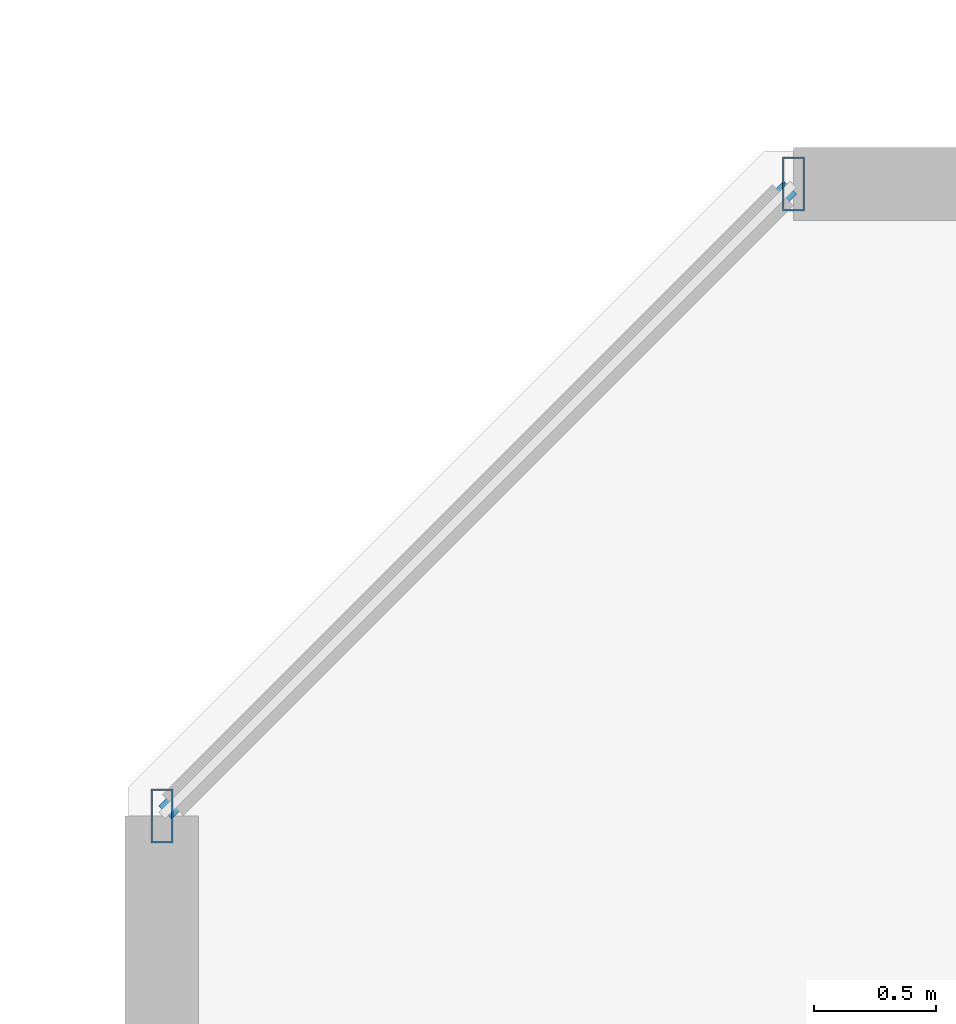
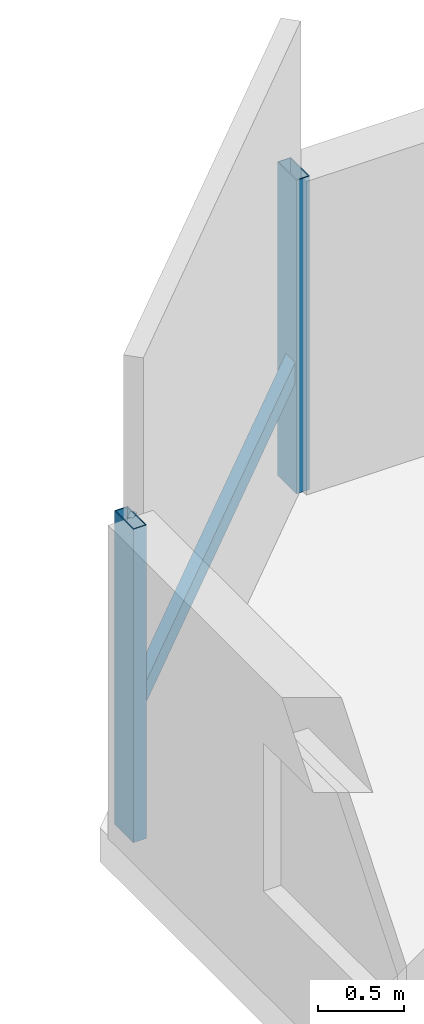
# One storey, part 15 of 36: 3 members, 1 element without a shape of its own.
"""IFC4 building model written with IfcOpenShell, lengths in metres."""

from ifc_helpers import new_model, si_unit, direction, frame, origin, origin_2d, place, context, subcontext, project, spatial, hollow_rectangle, extrude, material, material_profile, profile_set, type_object, element, aggregate, save


model = new_model("IFC4")

# Units and contexts
model_context = context("Model", 3, precision=1e-05, world=origin(), true_north=direction((0.0, 1.0)))
body_context = subcontext(model_context, "Body", "Model", "MODEL_VIEW")
ifc_project = project(units=[si_unit("LENGTHUNIT", "METRE"), si_unit("AREAUNIT", "SQUARE_METRE"), si_unit("VOLUMEUNIT", "CUBIC_METRE"), si_unit("PLANEANGLEUNIT", "RADIAN"), si_unit("MASSUNIT", "GRAM", prefix="KILO")], contexts=[model_context])

# Site, building, storey
site_placement = place(None, origin())
site = spatial("IfcSite", under=ifc_project, at=site_placement, CompositionType="ELEMENT")
building_placement = place(site_placement, origin())
building = spatial("IfcBuilding", under=site, at=building_placement, Name="Thornwick Lancets Civic Towers", CompositionType="ELEMENT")
storey_placement = place(building_placement, frame((0.0, 0.0, 116.10009765625)))
storey = spatial("IfcBuildingStorey", under=building, at=storey_placement, Name="L30", CompositionType="ELEMENT", Elevation=116.10009765625)

# Curtain wall, members
ifc_material_1 = material(Name="Low-zone chamfered-corner unitised glass curtain wall", Category="glass")
curtain_wall_type = type_object("IfcCurtainWallType", Name="CW_SYS_03", PredefinedType="NOTDEFINED", material=ifc_material_1)
curtain_wall_placement = place(storey_placement, origin())
curtain_wall = element("IfcCurtainWall", 1, at=curtain_wall_placement, inside=storey, type_object=curtain_wall_type, Name="L30 Curtain Wall CW-L30-B-E5", PredefinedType="NOTDEFINED")
ifc_material_2 = material(Name="Thermally broken bronze aluminium S355", Category="steel")
ifc_material_profile_1 = material_profile(ifc_material_2, hollow_rectangle(XDim=0.090087890625, YDim=0.219970703125, WallThickness=0.00634765625, at=origin_2d()), Name="RHS 220x90x6.3")
ifc_profile_set_1 = profile_set([ifc_material_profile_1], Name="Thermally broken bronze aluminium S355")
member_type_1 = type_object("IfcMemberType", Name="CW_MUL_220", PredefinedType="MULLION", material=ifc_profile_set_1)
member_1_placement = place(storey_placement, frame((67.11865234375, 44.964599609375, 0.0), z_axis=(0.0, 0.0, 1.0), x_axis=(1.0, 0.0, 0.0)))
member_1 = element("IfcMember", 2, at=member_1_placement, type_object=member_type_1, Name="CW-L30-B-E5 Mullion 0", PredefinedType="MULLION", context=body_context, shape_type="SweptSolid", body=[
    extrude(hollow_rectangle(XDim=0.090087890625, YDim=0.219970703125, WallThickness=0.00634765625, at=origin_2d()), origin(), (0.0, 0.0, 1.0), 2.219970703125),
])
member_2_placement = place(storey_placement, frame((64.535400390625, 42.38134765625, 0.0), z_axis=(0.0, 0.0, 1.0), x_axis=(1.0, 0.0, 0.0)))
member_2 = element("IfcMember", 3, at=member_2_placement, type_object=member_type_1, Name="CW-L30-B-E5 Mullion 1", PredefinedType="MULLION", context=body_context, shape_type="SweptSolid", body=[
    extrude(hollow_rectangle(XDim=0.090087890625, YDim=0.219970703125, WallThickness=0.00634765625, at=origin_2d()), origin(), (0.0, 0.0, 1.0), 2.219970703125),
])
ifc_material_profile_2 = material_profile(ifc_material_2, hollow_rectangle(XDim=0.074951171875, YDim=0.14990234375, WallThickness=0.0048828125, at=origin_2d()), Name="RHS 150x75x5")
ifc_profile_set_2 = profile_set([ifc_material_profile_2], Name="Thermally broken bronze aluminium S355")
member_type_2 = type_object("IfcMemberType", Name="CW_TRN_150", PredefinedType="USERDEFINED", material=ifc_profile_set_2)
member_3_placement = place(storey_placement, frame((67.1044921875, 44.95068359375, 0.849853515625), z_axis=(-0.707106781187, -0.707106781187, 0.0), x_axis=(0.707106781187, -0.707106781187, 0.0)))
member_3 = element("IfcMember", 4, at=member_3_placement, type_object=member_type_2, Name="CW-L30-B-E5 Transom 0", ObjectType="TRANSOM", PredefinedType="USERDEFINED", context=body_context, shape_type="SweptSolid", body=[
    extrude(hollow_rectangle(XDim=0.074951171875, YDim=0.14990234375, WallThickness=0.0048828125, at=origin_2d()), origin(), (0.0, 0.0, 1.0), 3.613525390625),
])
aggregate(curtain_wall, [member_1, member_2, member_3])

save(model, "model.ifc")
